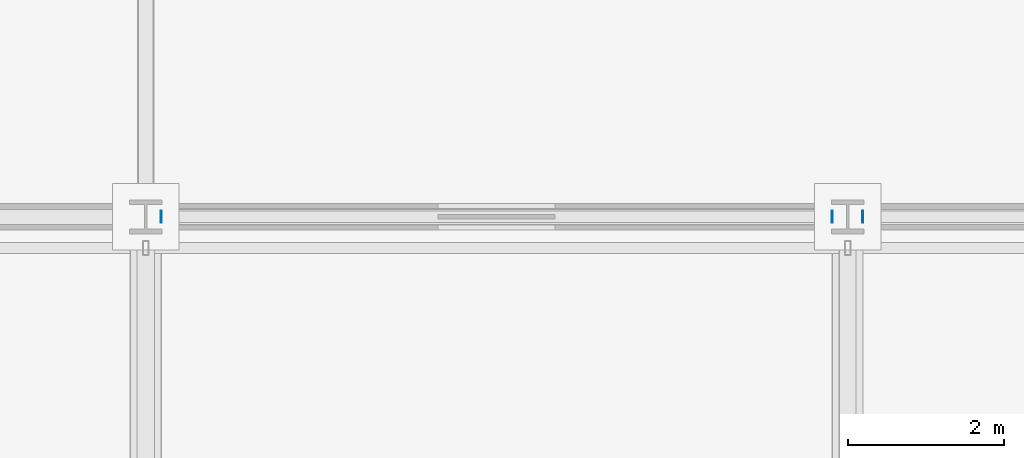
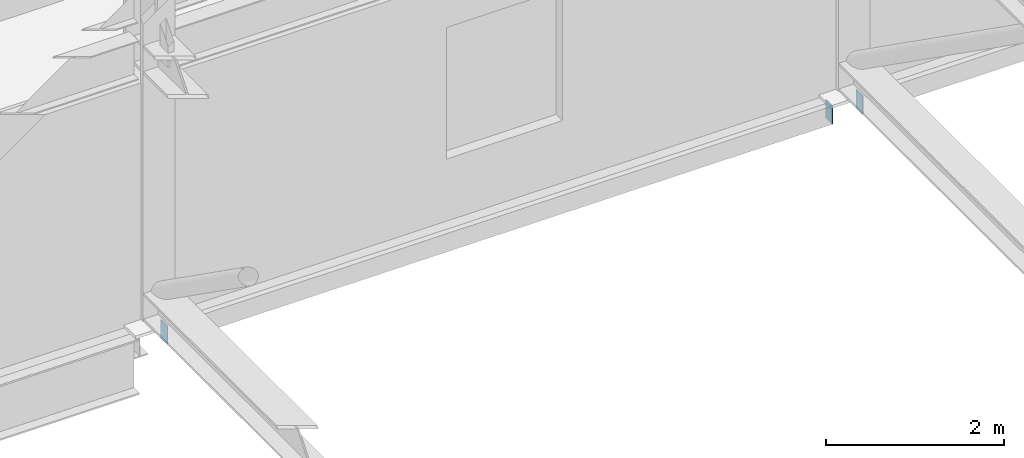
# One storey, part 113 of 136: 3 discrete accessories.
"""IFC4 building model written with IfcOpenShell, lengths in metres."""

from ifc_helpers import new_model, si_unit, direction, frame, origin, place, context, subcontext, project, spatial, polyline, outline, extrude, material, layer, layer_set, type_object, element, save


model = new_model("IFC4")

# Units and contexts
model_context = context("Model", 3, precision=1e-05, world=origin(), true_north=direction((0.0, 1.0)))
body_context = subcontext(model_context, "Body", "Model", "MODEL_VIEW")
ifc_project = project(units=[si_unit("LENGTHUNIT", "METRE"), si_unit("AREAUNIT", "SQUARE_METRE"), si_unit("VOLUMEUNIT", "CUBIC_METRE"), si_unit("PLANEANGLEUNIT", "RADIAN"), si_unit("MASSUNIT", "GRAM", prefix="KILO")], contexts=[model_context])

# Site, building, storey
site_placement = place(None, origin())
site = spatial("IfcSite", under=ifc_project, at=site_placement, CompositionType="ELEMENT")
building_placement = place(site_placement, origin())
building = spatial("IfcBuilding", under=site, at=building_placement, Name="Kisiwana Market Hall", CompositionType="ELEMENT")
storey_placement = place(building_placement, frame((0.0, 0.0, 16.800048828125)))
storey = spatial("IfcBuildingStorey", under=building, at=storey_placement, Name="L03", CompositionType="ELEMENT", Elevation=16.800048828125)

# Discrete accessories
ifc_material = material(Name="Steel S355", Category="steel")
ifc_layer = layer(ifc_material, 0.011962890625)
ifc_layer_set = layer_set([ifc_layer], Name="ACC-ENDCAP-STL")
discrete_accessory_type = type_object("IfcDiscreteAccessoryType", Name="ACC-ENDCAP-STL", PredefinedType="USERDEFINED", material=ifc_layer_set)
discrete_accessory_1_placement = place(storey_placement, frame((0.0, 0.0, -0.5)))
element("IfcDiscreteAccessory", 1, at=discrete_accessory_1_placement, inside=storey, type_object=discrete_accessory_type, Name="End cap plate EC-0039", ObjectType="End cap plate", PredefinedType="USERDEFINED", context=body_context, shape_type="SweptSolid", body=[
    extrude(outline(polyline([(89.798095703125, 83.925048828125), (89.81005859375, 83.925048828125), (89.81005859375, 84.074951171875), (89.798095703125, 84.074951171875), (89.798095703125, 83.925048828125)])), origin(), (0.0, 0.0, 1.0), 0.25),
])
discrete_accessory_2_placement = place(storey_placement, frame((0.0, 0.0, -0.5)))
element("IfcDiscreteAccessory", 2, at=discrete_accessory_2_placement, inside=storey, type_object=discrete_accessory_type, Name="End cap plate EC-0040", ObjectType="End cap plate", PredefinedType="USERDEFINED", context=body_context, shape_type="SweptSolid", body=[
    extrude(outline(polyline([(81.201904296875, 83.925048828125), (81.201904296875, 84.074951171875), (81.18994140625, 84.074951171875), (81.18994140625, 83.925048828125), (81.201904296875, 83.925048828125)])), origin(), (0.0, 0.0, 1.0), 0.25),
])
discrete_accessory_3_placement = place(storey_placement, frame((0.0, 0.0, -0.5)))
element("IfcDiscreteAccessory", 3, at=discrete_accessory_3_placement, inside=storey, type_object=discrete_accessory_type, Name="End cap plate EC-0042", ObjectType="End cap plate", PredefinedType="USERDEFINED", context=body_context, shape_type="SweptSolid", body=[
    extrude(outline(polyline([(90.201904296875, 83.925048828125), (90.201904296875, 84.074951171875), (90.18994140625, 84.074951171875), (90.18994140625, 83.925048828125), (90.201904296875, 83.925048828125)])), origin(), (0.0, 0.0, 1.0), 0.25),
])

save(model, "model.ifc")
